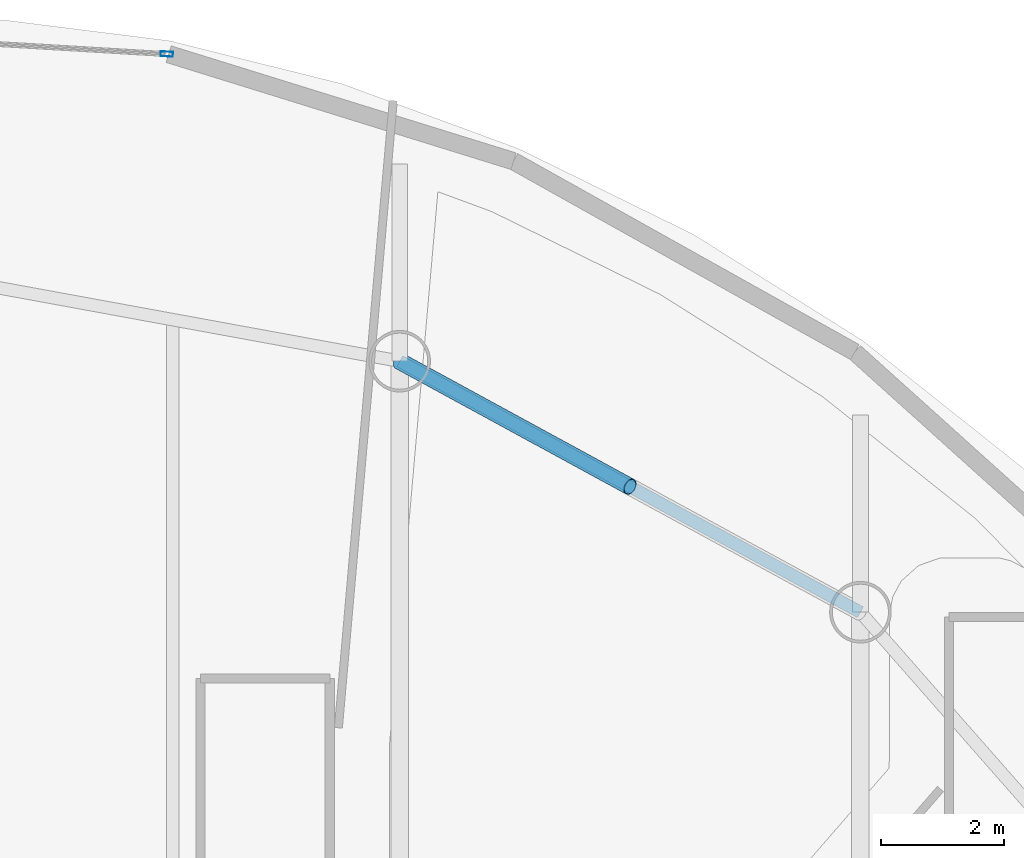
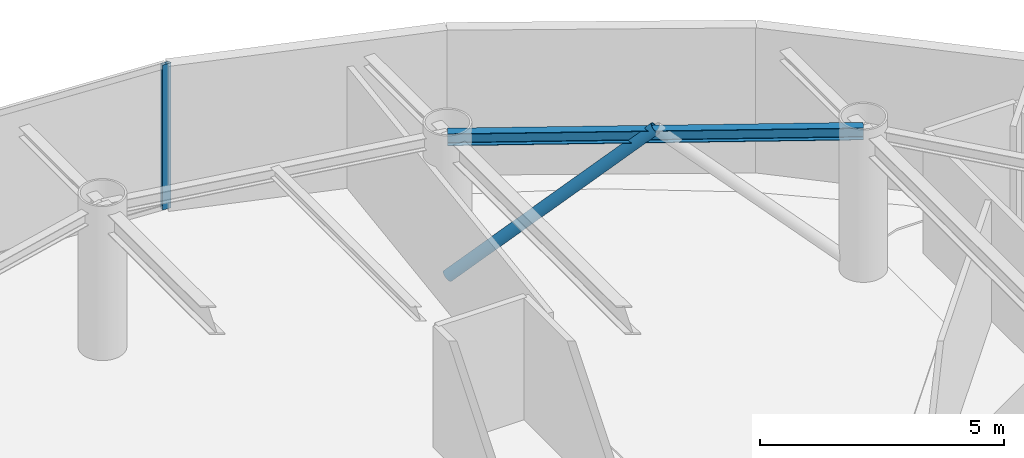
# One storey, part 11 of 19: 2 members, 1 beam, 1 element without a shape of its own.
"""IFC4 building model written with IfcOpenShell, lengths in metres."""

from ifc_helpers import new_model, si_unit, direction, frame, origin, origin_2d, place, context, subcontext, project, spatial, hollow_rectangle, hollow_circle, i_section, extrude, material, layer, layer_set, material_profile, profile_set, type_object, element, aggregate, save


model = new_model("IFC4")

# Units and contexts
model_context = context("Model", 3, precision=1e-05, world=origin(), true_north=direction((0.0, 1.0)))
body_context = subcontext(model_context, "Body", "Model", "MODEL_VIEW")
ifc_project = project(units=[si_unit("LENGTHUNIT", "METRE"), si_unit("AREAUNIT", "SQUARE_METRE"), si_unit("VOLUMEUNIT", "CUBIC_METRE"), si_unit("PLANEANGLEUNIT", "RADIAN"), si_unit("MASSUNIT", "GRAM", prefix="KILO")], contexts=[model_context])

# Site, building, storey
site_placement = place(None, origin())
site = spatial("IfcSite", under=ifc_project, at=site_placement, CompositionType="ELEMENT")
building_placement = place(site_placement, origin())
building = spatial("IfcBuilding", under=site, at=building_placement, Name="Bramvorn Convention Spire", CompositionType="ELEMENT")
storey_placement = place(building_placement, frame((0.0, 0.0, 292.10009765625)))
storey = spatial("IfcBuildingStorey", under=building, at=storey_placement, Name="L74", CompositionType="ELEMENT", Elevation=292.10009765625)

# Beam
ifc_material_1 = material(Name="Steel CSA G40.21 Grade 350 (350W)", Category="steel")
ifc_material_profile_1 = material_profile(ifc_material_1, i_section(OverallWidth=0.202880859375, OverallDepth=0.302978515625, WebThickness=0.007568359375, FlangeThickness=0.01318359375, FilletRadius=0.013916015625, at=origin_2d()))
ifc_profile_set_1 = profile_set([ifc_material_profile_1], Name="Steel CSA G40.21 Grade 350 (350W) - W310X60")
beam_type = type_object("IfcBeamType", Name="BM-W310X60", PredefinedType="JOIST", material=ifc_profile_set_1)
beam_placement = place(storey_placement, frame((47.662353515625, 41.476806640625, 3.473388671875), z_axis=(-0.878133224771, 0.478416178189, 0.0), x_axis=(-0.478416178189, -0.878133224771, 0.0)))
element("IfcBeam", 1, at=beam_placement, inside=storey, type_object=beam_type, Name="L74 mega-column ring beam 06", PredefinedType="JOIST", context=body_context, shape_type="SweptSolid", body=[
    extrude(i_section(OverallWidth=0.202880859375, OverallDepth=0.302978515625, WebThickness=0.007568359375, FlangeThickness=0.01318359375, FilletRadius=0.013916015625, at=origin_2d()), origin(), (0.0, 0.0, 1.0), 8.515625),
])

# Curtain wall, member
ifc_material_2 = material(Name="Anodised Bronze Unitised Curtain Wall", Category="aluminium")
ifc_layer = layer(ifc_material_2, 0.179931640625)
ifc_layer_set = layer_set([ifc_layer], Name="Anodised Bronze Unitised Curtain Wall - CW-OFF-FRIT")
curtain_wall_type = type_object("IfcCurtainWallType", Name="CW-OFF-FRIT", PredefinedType="USERDEFINED", material=ifc_layer_set)
curtain_wall_placement = place(storey_placement, origin())
curtain_wall = element("IfcCurtainWall", 2, at=curtain_wall_placement, inside=storey, type_object=curtain_wall_type, Name="L74 fritted glass curtain wall 11", ObjectType="UNITISED CURTAIN WALL", PredefinedType="USERDEFINED")
ifc_material_3 = material(Name="Anodised Bronze Aluminium 6063-T6", Category="aluminium")
ifc_material_profile_2 = material_profile(ifc_material_3, hollow_rectangle(XDim=0.080078125, YDim=0.199951171875, WallThickness=0.00390625, InnerFilletRadius=0.0009765625, OuterFilletRadius=0.00390625, at=origin_2d()))
ifc_profile_set_2 = profile_set([ifc_material_profile_2], Name="Anodised Bronze Aluminium 6063-T6 - CWM80X200")
member_type_1 = type_object("IfcMemberType", Name="CW-MUL-180", PredefinedType="MULLION", material=ifc_profile_set_2)
member_1_placement = place(storey_placement, frame((36.40576171875, 50.53564453125, 0.0), z_axis=(0.0, 0.0, 1.0), x_axis=(0.059392070371, 0.998234732905, 0.0)))
member_1 = element("IfcMember", 3, at=member_1_placement, type_object=member_type_1, Name="CW3 mullion 2", PredefinedType="MULLION", context=body_context, shape_type="SweptSolid", body=[
    extrude(hollow_rectangle(XDim=0.080078125, YDim=0.199951171875, WallThickness=0.00390625, InnerFilletRadius=0.0009765625, OuterFilletRadius=0.00390625, at=origin_2d()), origin(), (0.0, 0.0, 1.0), 3.625),
])
aggregate(curtain_wall, [member_1])

# Member
ifc_material_profile_3 = material_profile(ifc_material_1, hollow_circle(Radius=0.136474609375, WallThickness=0.0126953125, at=origin_2d()))
ifc_profile_set_3 = profile_set([ifc_material_profile_3], Name="Steel CSA G40.21 Grade 350 (350W) - CHS273X13")
member_type_2 = type_object("IfcMemberType", Name="MBR-CHS273X13", PredefinedType="BRACE", material=ifc_profile_set_3)
member_2_placement = place(storey_placement, frame((40.1845703125, 45.55078125, 0.0), z_axis=(0.668620574392, -0.364261554927, 0.64827466949), x_axis=(0.478406114461, 0.878138707521, 0.0)))
element("IfcMember", 4, at=member_2_placement, inside=storey, type_object=member_type_2, Name="L74 perimeter Gothic lancet brace 6B", PredefinedType="BRACE", context=body_context, shape_type="SweptSolid", body=[
    extrude(hollow_circle(Radius=0.136474609375, WallThickness=0.0126953125, at=origin_2d()), origin(), (0.0, 0.0, 1.0), 5.591796875),
])

save(model, "model.ifc")
